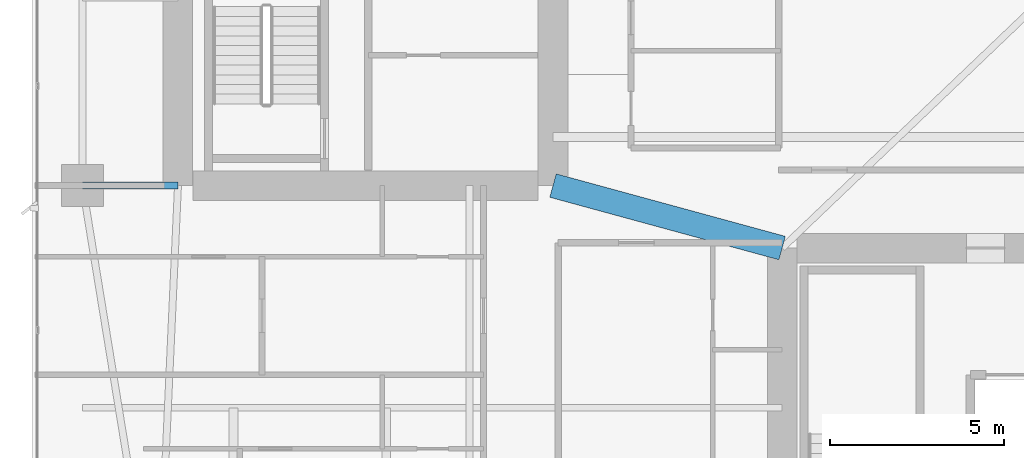
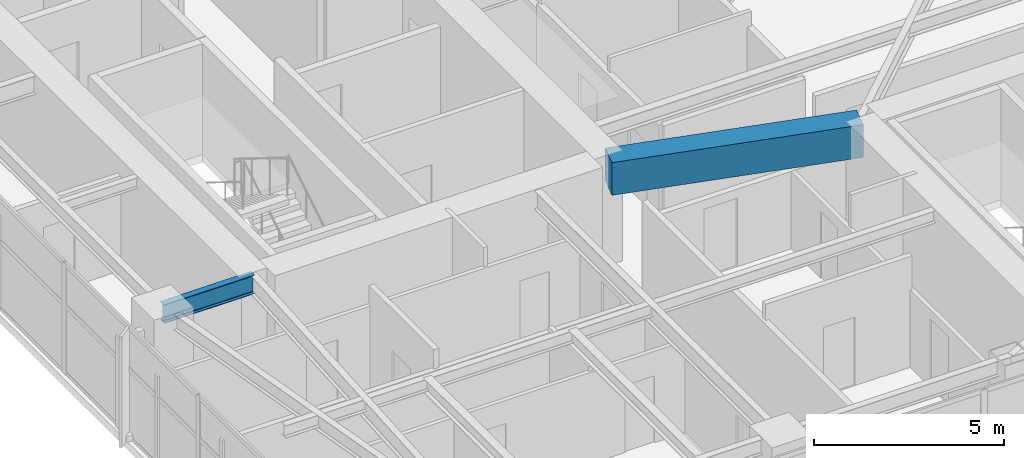
# One storey, part 7 of 29: 2 beams.
"""IFC4 building model written with IfcOpenShell, lengths in metres."""

from ifc_helpers import new_model, si_unit, direction, frame, origin, origin_2d, place, context, subcontext, project, spatial, rectangle, i_section, extrude, material, material_profile, profile_set, type_object, element, save


model = new_model("IFC4")

# Units and contexts
model_context = context("Model", 3, precision=1e-05, world=origin(), true_north=direction((0.0, 1.0)))
body_context = subcontext(model_context, "Body", "Model", "MODEL_VIEW")
ifc_project = project(units=[si_unit("LENGTHUNIT", "METRE"), si_unit("AREAUNIT", "SQUARE_METRE"), si_unit("VOLUMEUNIT", "CUBIC_METRE"), si_unit("PLANEANGLEUNIT", "RADIAN"), si_unit("MASSUNIT", "GRAM", prefix="KILO")], contexts=[model_context])

# Site, building, storey
site_placement = place(None, origin())
site = spatial("IfcSite", under=ifc_project, at=site_placement, CompositionType="ELEMENT")
building_placement = place(site_placement, origin())
building = spatial("IfcBuilding", under=site, at=building_placement, Name="Calvorn Quay Hotel", CompositionType="ELEMENT")
storey_placement = place(building_placement, frame((0.0, 0.0, 171.300048828125)))
storey = spatial("IfcBuildingStorey", under=building, at=storey_placement, Name="L42", CompositionType="ELEMENT", Elevation=171.300048828125)

# Beams
ifc_material_1 = material(Name="Steel Q355B", Category="steel")
ifc_material_profile_1 = material_profile(ifc_material_1, i_section(OverallWidth=0.199951171875, OverallDepth=0.60009765625, WebThickness=0.010986328125, FlangeThickness=0.01708984375, FilletRadius=0.01806640625, at=origin_2d()), Name="HN600x200x11x17")
ifc_profile_set_1 = profile_set([ifc_material_profile_1], Name="Steel Q355B")
beam_type_1 = type_object("IfcBeamType", Name="BM-GIRD-TYP", PredefinedType="BEAM", material=ifc_profile_set_1)
beam_1_placement = place(storey_placement, frame((1.449951171875, 16.800048828125, 3.239990234375), z_axis=(1.0, 0.0, 0.0), x_axis=(0.0, 1.0, 0.0)))
element("IfcBeam", 1, at=beam_1_placement, inside=storey, type_object=beam_type_1, Name="Beam BG-L42-W1", PredefinedType="BEAM", context=body_context, shape_type="SweptSolid", body=[
    extrude(i_section(OverallWidth=0.199951171875, OverallDepth=0.60009765625, WebThickness=0.010986328125, FlangeThickness=0.01708984375, FilletRadius=0.01806640625, at=origin_2d()), origin(), (0.0, 0.0, 1.0), 2.75),
])
ifc_material_2 = material(Name="Concrete C50", Category="concrete")
ifc_material_profile_2 = material_profile(ifc_material_2, rectangle(XDim=0.699951171875, YDim=1.050048828125, at=origin_2d()), Name="RCB700x1050")
ifc_profile_set_2 = profile_set([ifc_material_profile_2], Name="Concrete C50")
beam_type_2 = type_object("IfcBeamType", Name="BM-RC-LINK-700x1050", PredefinedType="BEAM", material=ifc_profile_set_2)
beam_2_placement = place(storey_placement, frame((15.0, 16.800048828125, 3.014892578125), z_axis=(0.964762997686, -0.263120425462, 0.0), x_axis=(0.263120425462, 0.964762997686, 0.0)))
element("IfcBeam", 2, at=beam_2_placement, inside=storey, type_object=beam_type_2, Name="Beam BCL-L42-01", PredefinedType="BEAM", context=body_context, shape_type="SweptSolid", body=[
    extrude(rectangle(XDim=0.699951171875, YDim=1.050048828125, at=origin_2d()), origin(), (0.0, 0.0, 1.0), 6.841064453125),
])

save(model, "model.ifc")
